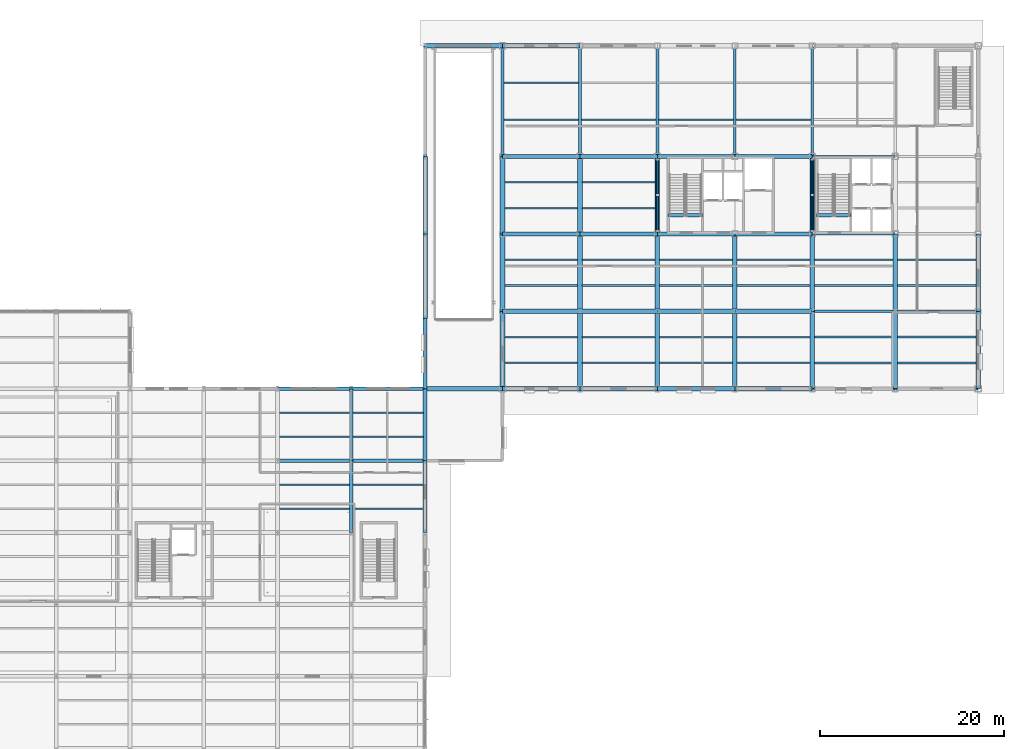
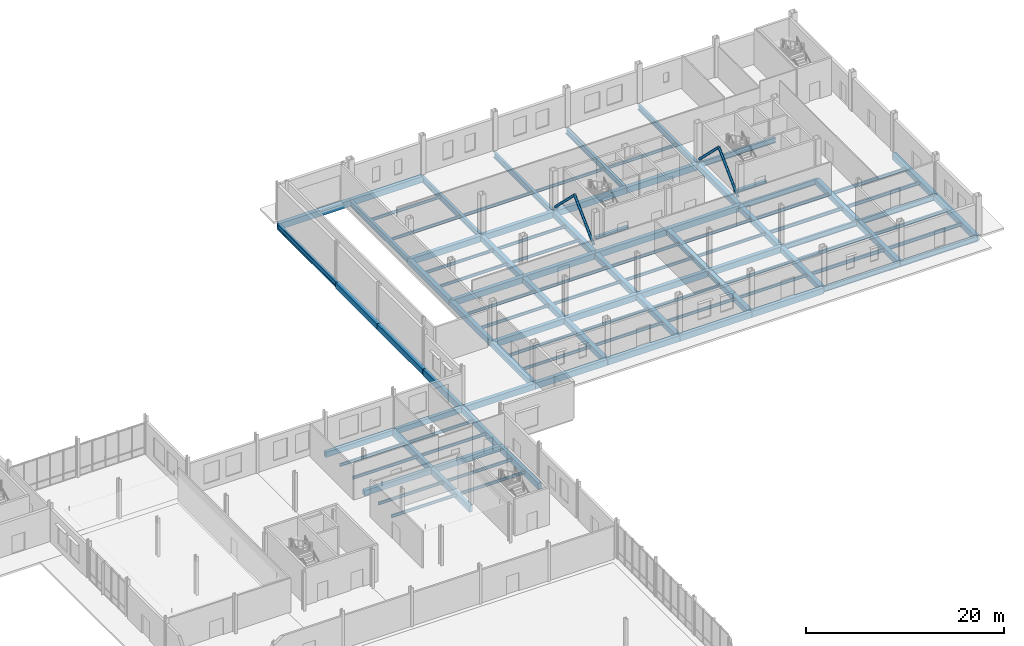
# One storey, part 33 of 82: 103 beams, 4 members.
"""IFC4 building model written with IfcOpenShell, lengths in metres."""

import ifcopenshell
import ifcopenshell.guid

model = None  # the IFC model being written
_history = None  # IfcOwnerHistory: only IFC2X3 demands one
_inside = {}  # id of a spatial element -> (the spatial element, [elements in it])
_under = {}  # id of a project, library or spatial element -> (it, [spatial elements below it])
_declared = {}  # id of a project -> (the project, [libraries it declares])
_typed = {}  # id of a type object -> (the type object, [elements of that type])
_made_of = {}  # id of a material, layer set ... -> (it, [elements and type objects made of it])


def new_model(schema):
    """Start an empty IFC model of exactly this schema.

    Asked for "IFC4X3", IfcOpenShell would pick the latest addendum, in which some entities
    have other attributes; the version numbers below select the first issue.
    IFC2X3 requires an IfcOwnerHistory on every rooted entity: one is made here for all.
    """
    global model, _history
    if schema == "IFC4X3":
        model = ifcopenshell.file(schema_version=(4, 3, 0, 0))
    else:
        model = ifcopenshell.file(schema=schema)
    _inside.clear()
    _under.clear()
    _declared.clear()
    _typed.clear()
    _made_of.clear()
    _history = None
    if model.schema == "IFC2X3":
        org = make("IfcOrganization", Name="unknown")
        user = make(
            "IfcPersonAndOrganization",
            ThePerson=make("IfcPerson", FamilyName="unknown"),
            TheOrganization=org,
        )
        app = make(
            "IfcApplication",
            ApplicationDeveloper=org,
            Version="unknown",
            ApplicationFullName="unknown",
            ApplicationIdentifier="unknown",
        )
        _history = make(
            "IfcOwnerHistory",
            OwningUser=user,
            OwningApplication=app,
            ChangeAction="ADDED",
            CreationDate=0,
        )
    return model


def make(cls, **values):
    """One entity of the class cls with the attributes given. An attribute that is None is left unset."""
    return model.create_entity(
        cls, **{name: value for name, value in values.items() if value is not None}
    )


def rooted(cls, **values):
    """An entity with a GlobalId (a new one), such as an element, a storey or a relation."""
    return make(cls, GlobalId=ifcopenshell.guid.new(), OwnerHistory=_history, **values)


def si_unit(unit_type, name, prefix=None):
    """IfcSIUnit, for example si_unit("LENGTHUNIT", "METRE", prefix="MILLI")."""
    return make("IfcSIUnit", UnitType=unit_type, Prefix=prefix, Name=name)


def assignment(units):
    """IfcUnitAssignment: the units of a project."""
    return None if units is None else make("IfcUnitAssignment", Units=units)


def point(xyz):
    """IfcCartesianPoint."""
    return None if xyz is None else make("IfcCartesianPoint", Coordinates=xyz)


def direction(xyz):
    """IfcDirection."""
    return None if xyz is None else make("IfcDirection", DirectionRatios=xyz)


def frame(location, z_axis=None, x_axis=None):
    """IfcAxis2Placement3D, a coordinate frame: its origin and axes. An axis left out is left unset."""
    return make(
        "IfcAxis2Placement3D",
        Location=point(location),
        Axis=direction(z_axis),
        RefDirection=direction(x_axis),
    )


def frame_2d(location, x_axis=None):
    """IfcAxis2Placement2D, a coordinate frame in the plane: its origin and x axis."""
    return make(
        "IfcAxis2Placement2D", Location=point(location), RefDirection=direction(x_axis)
    )


def origin():
    """The frame at (0, 0, 0) with its axes left unset."""
    return frame((0.0, 0.0, 0.0))


def origin_2d():
    """The frame at (0, 0) in the plane with its x axis left unset."""
    return frame_2d((0.0, 0.0))


def place(relative_to, where):
    """IfcLocalPlacement: puts the frame where relative to a parent placement (None: the world)."""
    return make(
        "IfcLocalPlacement", PlacementRelTo=relative_to, RelativePlacement=where
    )


def context(
    kind, dimensions, precision=None, world=None, true_north=None, identifier=None
):
    """IfcGeometricRepresentationContext, for example the 3D "Model" context."""
    return make(
        "IfcGeometricRepresentationContext",
        ContextIdentifier=identifier,
        ContextType=kind,
        CoordinateSpaceDimension=dimensions,
        Precision=precision,
        WorldCoordinateSystem=world,
        TrueNorth=true_north,
    )


def subcontext(parent, identifier, kind, view, scale=None):
    """IfcGeometricRepresentationSubContext, for example "Body" below "Model"."""
    return make(
        "IfcGeometricRepresentationSubContext",
        ContextIdentifier=identifier,
        ContextType=kind,
        ParentContext=parent,
        TargetScale=scale,
        TargetView=view,
    )


def project(units=None, contexts=None):
    """IfcProject with its units and contexts."""
    return rooted(
        "IfcProject",
        Name="project",
        RepresentationContexts=contexts,
        UnitsInContext=assignment(units),
    )


def spatial(cls, under=None, at=None, **own):
    """A site, building, storey or space (cls), placed at a placement, below another one or the project."""
    s = rooted(cls, ObjectPlacement=at, **own)
    if under is not None:
        _under.setdefault(under.id(), (under, []))[1].append(s)
    return s


def profile(cls, at=None, kind="AREA", **sizes):
    """A parametric profile (cls). Its sizes go by their IFC names, for example OverallWidth=200.0."""
    return make(cls, ProfileType=kind, Position=at, **sizes)


def rectangle(**sizes):
    """IfcRectangleProfileDef."""
    return profile("IfcRectangleProfileDef", **sizes)


def hollow_circle(**sizes):
    """IfcCircleHollowProfileDef."""
    return profile("IfcCircleHollowProfileDef", **sizes)


def i_section(**sizes):
    """IfcIShapeProfileDef."""
    return profile("IfcIShapeProfileDef", **sizes)


def extrude(swept, where, along, depth):
    """IfcExtrudedAreaSolid: the profile swept, set in the frame where, extruded along a direction by depth."""
    return make(
        "IfcExtrudedAreaSolid",
        SweptArea=swept,
        Position=where,
        ExtrudedDirection=direction(along),
        Depth=depth,
    )


def shape(context_of_items, identifier, shape_type, items):
    """IfcShapeRepresentation: the items that make up one representation, for example the "Body"."""
    return make(
        "IfcShapeRepresentation",
        ContextOfItems=context_of_items,
        RepresentationIdentifier=identifier,
        RepresentationType=shape_type,
        Items=items,
    )


def material(Name=None, Category=None):
    """IfcMaterial."""
    return make("IfcMaterial", Name=Name, Category=Category)


def material_profile(
    of_material, cross_section, Name=None, Category=None, Priority=None
):
    """IfcMaterialProfile: a cross section and its material."""
    return make(
        "IfcMaterialProfile",
        Name=Name,
        Material=of_material,
        Profile=cross_section,
        Priority=Priority,
        Category=Category,
    )


def profile_set(profiles, Name=None, composite=None):
    """IfcMaterialProfileSet."""
    return make(
        "IfcMaterialProfileSet",
        Name=Name,
        MaterialProfiles=profiles,
        CompositeProfile=composite,
    )


def made_of(thing, what):
    """Note that an element or type object is made of a material, layer set ...; save() writes the relation."""
    if what is not None:
        _made_of.setdefault(what.id(), (what, []))[1].append(thing)
    return thing


def type_object(cls, material=None, **own):
    """A type object (cls), such as IfcWallType, which elements share."""
    return made_of(rooted(cls, **own), material)


def element(
    cls,
    number,
    at=None,
    inside=None,
    cuts=None,
    type_object=None,
    material=None,
    context=None,
    identifier="Body",
    shape_type=None,
    held_by="IfcProductDefinitionShape",
    body=None,
    shapes=None,
    **own,
):
    """One element of the class cls, such as IfcWall. Its Tag is "e" and its number.

    at: its placement. inside: the storey or other place that contains it. cuts: it is an
    opening in that element (IfcRelVoidsElement). A single representation is given by context,
    identifier, shape_type and body (its items); several are given by shapes. held_by: the class
    of the entity that holds the representations. save() writes the other relations.
    """
    e = rooted(cls, Tag="e%d" % number, ObjectPlacement=at, **own)
    if body is not None:
        shapes = [shape(context, identifier, shape_type, body)]
    if shapes is not None:
        e.Representation = make(held_by, Representations=shapes)
    if inside is not None:
        _inside.setdefault(inside.id(), (inside, []))[1].append(e)
    if cuts is not None:
        rooted(
            "IfcRelVoidsElement", RelatingBuildingElement=cuts, RelatedOpeningElement=e
        )
    if type_object is not None:
        _typed.setdefault(type_object.id(), (type_object, []))[1].append(e)
    return made_of(e, material)


def aggregate(whole, parts):
    """IfcRelAggregates: a whole, such as a stair, and the parts it consists of."""
    return rooted("IfcRelAggregates", RelatingObject=whole, RelatedObjects=parts)


def save(model, path):
    """Write the relations noted so far, then the file.

    IfcRelAggregates (storeys below a building ...), IfcRelContainedInSpatialStructure (elements
    in a storey), IfcRelDefinesByType, IfcRelAssociatesMaterial and IfcRelDeclares: one each for
    every whole, place, type object, material and project.
    """
    for whole, parts in _under.values():
        aggregate(whole, parts)
    for where, things in _inside.values():
        rooted(
            "IfcRelContainedInSpatialStructure",
            RelatedElements=things,
            RelatingStructure=where,
        )
    for kind, things in _typed.values():
        rooted("IfcRelDefinesByType", RelatedObjects=things, RelatingType=kind)
    for what, things in _made_of.values():
        rooted("IfcRelAssociatesMaterial", RelatedObjects=things, RelatingMaterial=what)
    for by, libraries in _declared.values():
        rooted("IfcRelDeclares", RelatingContext=by, RelatedDefinitions=libraries)
    model.write(path)


model = new_model("IFC4")

# Units and contexts
model_context = context("Model", 3, precision=1e-05, world=origin(), true_north=direction((0.0, 1.0)))
body_context = subcontext(model_context, "Body", "Model", "MODEL_VIEW")
ifc_project = project(units=[si_unit("LENGTHUNIT", "METRE"), si_unit("AREAUNIT", "SQUARE_METRE"), si_unit("VOLUMEUNIT", "CUBIC_METRE"), si_unit("PLANEANGLEUNIT", "RADIAN"), si_unit("MASSUNIT", "GRAM", prefix="KILO")], contexts=[model_context])

# Site, building, storey
site_placement = place(None, origin())
site = spatial("IfcSite", under=ifc_project, at=site_placement, CompositionType="ELEMENT")
building_placement = place(site_placement, origin())
building = spatial("IfcBuilding", under=site, at=building_placement, Name="Yukiwa Park Conservatory and Herbarium", CompositionType="ELEMENT")
storey_placement = place(building_placement, origin())
storey = spatial("IfcBuildingStorey", under=building, at=storey_placement, Name="L00", CompositionType="ELEMENT", Elevation=0.0)

# Beams
ifc_material_1 = material(Name="Steel Q355D", Category="steel")
ifc_material_profile_1 = material_profile(ifc_material_1, i_section(OverallWidth=0.25, OverallDepth=0.64990234375, WebThickness=0.011962890625, FlangeThickness=0.02001953125, FilletRadius=0.02392578125, at=origin_2d()), Name="HN 650x250x12x20")
ifc_profile_set_1 = profile_set([ifc_material_profile_1], Name="Steel Q355D")
beam_type_1 = type_object("IfcBeamType", Name="BM-GRD-HN650", PredefinedType="BEAM", material=ifc_profile_set_1)
for number, where, z_axis, x_axis, name in (
    (1, (150.006103515625, 78.0, -0.5849609375), (1.0, 0.0, 0.0), (0.0, 1.0, 0.0), "L00 grid beam X-103"),
    (2, (159.006103515625, 78.0, -0.5849609375), (1.0, 0.0, 0.0), (0.0, 1.0, 0.0), "L00 grid beam X-104"),
    (3, (150.006103515625, 86.39990234375, -0.5849609375), (1.0, 0.0, 0.0), (0.0, 1.0, 0.0), "L00 grid beam X-115"),
    (4, (159.006103515625, 86.39990234375, -0.5849609375), (1.0, 0.0, 0.0), (0.0, 1.0, 0.0), "L00 grid beam X-116"),
    (5, (150.006103515625, 94.800048828125, -0.5849609375), (1.0, 0.0, 0.0), (0.0, 1.0, 0.0), "L00 grid beam X-127"),
    (6, (150.006103515625, 103.199951171875, -0.5849609375), (1.0, 0.0, 0.0), (0.0, 1.0, 0.0), "L00 grid beam X-139"),
):
    element("IfcBeam", number, at=place(storey_placement, frame(where, z_axis=z_axis, x_axis=x_axis)), inside=storey, type_object=beam_type_1, Name=name, PredefinedType="BEAM", context=body_context, shape_type="SweptSolid", body=[
        extrude(i_section(OverallWidth=0.25, OverallDepth=0.64990234375, WebThickness=0.011962890625, FlangeThickness=0.02001953125, FilletRadius=0.02392578125, at=origin_2d()), origin(), (0.0, 0.0, 1.0), 8.98779296875),
    ])
ifc_material_2 = material(Name="Steel Q355D", Category="steel")
ifc_material_profile_2 = material_profile(ifc_material_2, i_section(OverallWidth=0.300048828125, OverallDepth=0.699951171875, WebThickness=0.012939453125, FlangeThickness=0.02392578125, FilletRadius=0.028076171875, at=origin_2d()), Name="HN 700x300x13x24")
ifc_profile_set_2 = profile_set([ifc_material_profile_2], Name="Steel Q355D")
beam_type_2 = type_object("IfcBeamType", Name="BM-GRD-HN700", PredefinedType="BEAM", material=ifc_profile_set_2)
for number, where, z_axis, x_axis, name in (
    (7, (108.0, 103.2060546875, -0.610107421875), (0.0, 1.0, 0.0), (-1.0, 0.0, 0.0), "L00 grid girder Y-274"),
    (8, (116.39990234375, 103.2060546875, -0.610107421875), (0.0, 1.0, 0.0), (-1.0, 0.0, 0.0), "L00 grid girder Y-278"),
    (9, (124.800048828125, 103.2060546875, -0.610107421875), (0.0, 1.0, 0.0), (-1.0, 0.0, 0.0), "L00 grid girder Y-282"),
    (10, (133.199951171875, 103.2060546875, -0.610107421875), (0.0, 1.0, 0.0), (-1.0, 0.0, 0.0), "L00 grid girder Y-286"),
    (11, (141.60009765625, 103.2060546875, -0.610107421875), (0.0, 1.0, 0.0), (-1.0, 0.0, 0.0), "L00 grid girder Y-289"),
    (12, (150.0, 103.2060546875, -0.610107421875), (0.0, 1.0, 0.0), (-1.0, 0.0, 0.0), "L00 grid girder Y-293"),
):
    element("IfcBeam", number, at=place(storey_placement, frame(where, z_axis=z_axis, x_axis=x_axis)), inside=storey, type_object=beam_type_2, Name=name, PredefinedType="BEAM", context=body_context, shape_type="SweptSolid", body=[
        extrude(i_section(OverallWidth=0.300048828125, OverallDepth=0.699951171875, WebThickness=0.012939453125, FlangeThickness=0.02392578125, FilletRadius=0.028076171875, at=origin_2d()), origin(), (0.0, 0.0, 1.0), 11.988037109375),
    ])
ifc_material_3 = material(Name="Steel Q355D", Category="steel")
ifc_material_profile_3 = material_profile(ifc_material_3, i_section(OverallWidth=0.174072265625, OverallDepth=0.345947265625, WebThickness=0.006103515625, FlangeThickness=0.009033203125, FilletRadius=0.013916015625, at=origin_2d()), Name="HN 346x174x6x9")
ifc_profile_set_3 = profile_set([ifc_material_profile_3], Name="Steel Q355D")
beam_type_3 = type_object("IfcBeamType", Name="BM-JST-HN346", PredefinedType="JOIST", material=ifc_profile_set_3)
for number, where, z_axis, x_axis, name in (
    (13, (92.196044921875, 65.0, -0.43310546875), (1.0, 0.0, 0.0), (0.0, 1.0, 0.0), "L00 composite floor joist 163"),
    (14, (92.196044921875, 67.60009765625, -0.43310546875), (1.0, 0.0, 0.0), (0.0, 1.0, 0.0), "L00 composite floor joist 164"),
    (15, (92.196044921875, 72.800048828125, -0.43310546875), (1.0, 0.0, 0.0), (0.0, 1.0, 0.0), "L00 composite floor joist 165"),
    (16, (92.196044921875, 75.39990234375, -0.43310546875), (1.0, 0.0, 0.0), (0.0, 1.0, 0.0), "L00 composite floor joist 166"),
    (17, (100.196044921875, 65.0, -0.43310546875), (1.0, 0.0, 0.0), (0.0, 1.0, 0.0), "L00 composite floor joist 177"),
    (18, (100.196044921875, 67.60009765625, -0.43310546875), (1.0, 0.0, 0.0), (0.0, 1.0, 0.0), "L00 composite floor joist 178"),
    (19, (100.196044921875, 72.800048828125, -0.43310546875), (1.0, 0.0, 0.0), (0.0, 1.0, 0.0), "L00 composite floor joist 179"),
    (20, (100.196044921875, 75.39990234375, -0.43310546875), (1.0, 0.0, 0.0), (0.0, 1.0, 0.0), "L00 composite floor joist 180"),
):
    element("IfcBeam", number, at=place(storey_placement, frame(where, z_axis=z_axis, x_axis=x_axis)), inside=storey, type_object=beam_type_3, Name=name, PredefinedType="JOIST", context=body_context, shape_type="SweptSolid", body=[
        extrude(i_section(OverallWidth=0.174072265625, OverallDepth=0.345947265625, WebThickness=0.006103515625, FlangeThickness=0.009033203125, FilletRadius=0.013916015625, at=origin_2d()), origin(), (0.0, 0.0, 1.0), 7.60791015625),
    ])
for number, where, z_axis, x_axis, name in (
    (21, (116.64599609375, 80.800048828125, -0.43310546875), (1.0, 0.0, 0.0), (0.0, 1.0, 0.0), "L00 composite floor joist 181"),
    (22, (116.64599609375, 83.60009765625, -0.43310546875), (1.0, 0.0, 0.0), (0.0, 1.0, 0.0), "L00 composite floor joist 182"),
    (23, (116.64599609375, 89.199951171875, -0.43310546875), (1.0, 0.0, 0.0), (0.0, 1.0, 0.0), "L00 composite floor joist 183"),
    (24, (116.64599609375, 92.0, -0.43310546875), (1.0, 0.0, 0.0), (0.0, 1.0, 0.0), "L00 composite floor joist 184"),
    (25, (116.64599609375, 97.60009765625, -0.43310546875), (1.0, 0.0, 0.0), (0.0, 1.0, 0.0), "L00 composite floor joist 185"),
    (26, (116.64599609375, 100.39990234375, -0.43310546875), (1.0, 0.0, 0.0), (0.0, 1.0, 0.0), "L00 composite floor joist 186"),
):
    element("IfcBeam", number, at=place(storey_placement, frame(where, z_axis=z_axis, x_axis=x_axis)), inside=storey, type_object=beam_type_3, Name=name, PredefinedType="JOIST", context=body_context, shape_type="SweptSolid", body=[
        extrude(i_section(OverallWidth=0.174072265625, OverallDepth=0.345947265625, WebThickness=0.006103515625, FlangeThickness=0.009033203125, FilletRadius=0.013916015625, at=origin_2d()), origin(), (0.0, 0.0, 1.0), 7.907958984375),
    ])
for number, where, z_axis, x_axis, name in (
    (27, (116.5458984375, 107.199951171875, -0.43310546875), (1.0, 0.0, 0.0), (0.0, 1.0, 0.0), "L00 composite floor joist 187"),
    (28, (116.5458984375, 111.199951171875, -0.43310546875), (1.0, 0.0, 0.0), (0.0, 1.0, 0.0), "L00 composite floor joist 188"),
):
    element("IfcBeam", number, at=place(storey_placement, frame(where, z_axis=z_axis, x_axis=x_axis)), inside=storey, type_object=beam_type_3, Name=name, PredefinedType="JOIST", context=body_context, shape_type="SweptSolid", body=[
        extrude(i_section(OverallWidth=0.174072265625, OverallDepth=0.345947265625, WebThickness=0.006103515625, FlangeThickness=0.009033203125, FilletRadius=0.013916015625, at=origin_2d()), origin(), (0.0, 0.0, 1.0), 8.108154296875),
    ])
for number, where, z_axis, x_axis, name in (
    (29, (125.0458984375, 80.800048828125, -0.43310546875), (1.0, 0.0, 0.0), (0.0, 1.0, 0.0), "L00 composite floor joist 189"),
    (30, (125.0458984375, 83.60009765625, -0.43310546875), (1.0, 0.0, 0.0), (0.0, 1.0, 0.0), "L00 composite floor joist 190"),
    (31, (125.0458984375, 89.199951171875, -0.43310546875), (1.0, 0.0, 0.0), (0.0, 1.0, 0.0), "L00 composite floor joist 191"),
    (32, (125.0458984375, 92.0, -0.43310546875), (1.0, 0.0, 0.0), (0.0, 1.0, 0.0), "L00 composite floor joist 192"),
    (33, (125.0458984375, 97.60009765625, -0.43310546875), (1.0, 0.0, 0.0), (0.0, 1.0, 0.0), "L00 composite floor joist 193"),
    (34, (125.0458984375, 100.39990234375, -0.43310546875), (1.0, 0.0, 0.0), (0.0, 1.0, 0.0), "L00 composite floor joist 194"),
):
    element("IfcBeam", number, at=place(storey_placement, frame(where, z_axis=z_axis, x_axis=x_axis)), inside=storey, type_object=beam_type_3, Name=name, PredefinedType="JOIST", context=body_context, shape_type="SweptSolid", body=[
        extrude(i_section(OverallWidth=0.174072265625, OverallDepth=0.345947265625, WebThickness=0.006103515625, FlangeThickness=0.009033203125, FilletRadius=0.013916015625, at=origin_2d()), origin(), (0.0, 0.0, 1.0), 7.908203125),
    ])
beam_1_placement = place(storey_placement, frame((124.946044921875, 107.199951171875, -0.43310546875), z_axis=(1.0, 0.0, 0.0), x_axis=(0.0, 1.0, 0.0)))
element("IfcBeam", 35, at=beam_1_placement, inside=storey, type_object=beam_type_3, Name="L00 composite floor joist 195", PredefinedType="JOIST", context=body_context, shape_type="SweptSolid", body=[
    extrude(i_section(OverallWidth=0.174072265625, OverallDepth=0.345947265625, WebThickness=0.006103515625, FlangeThickness=0.009033203125, FilletRadius=0.013916015625, at=origin_2d()), origin(), (0.0, 0.0, 1.0), 8.10791015625),
])
for number, where, z_axis, x_axis, name in (
    (36, (133.446044921875, 80.800048828125, -0.43310546875), (1.0, 0.0, 0.0), (0.0, 1.0, 0.0), "L00 composite floor joist 197"),
    (37, (133.446044921875, 83.60009765625, -0.43310546875), (1.0, 0.0, 0.0), (0.0, 1.0, 0.0), "L00 composite floor joist 198"),
    (38, (133.446044921875, 89.199951171875, -0.43310546875), (1.0, 0.0, 0.0), (0.0, 1.0, 0.0), "L00 composite floor joist 199"),
    (39, (133.446044921875, 92.0, -0.43310546875), (1.0, 0.0, 0.0), (0.0, 1.0, 0.0), "L00 composite floor joist 200"),
):
    element("IfcBeam", number, at=place(storey_placement, frame(where, z_axis=z_axis, x_axis=x_axis)), inside=storey, type_object=beam_type_3, Name=name, PredefinedType="JOIST", context=body_context, shape_type="SweptSolid", body=[
        extrude(i_section(OverallWidth=0.174072265625, OverallDepth=0.345947265625, WebThickness=0.006103515625, FlangeThickness=0.009033203125, FilletRadius=0.013916015625, at=origin_2d()), origin(), (0.0, 0.0, 1.0), 7.907958984375),
    ])
beam_2_placement = place(storey_placement, frame((133.345947265625, 107.199951171875, -0.43310546875), z_axis=(1.0, 0.0, 0.0), x_axis=(0.0, 1.0, 0.0)))
element("IfcBeam", 40, at=beam_2_placement, inside=storey, type_object=beam_type_3, Name="L00 composite floor joist 201", PredefinedType="JOIST", context=body_context, shape_type="SweptSolid", body=[
    extrude(i_section(OverallWidth=0.174072265625, OverallDepth=0.345947265625, WebThickness=0.006103515625, FlangeThickness=0.009033203125, FilletRadius=0.013916015625, at=origin_2d()), origin(), (0.0, 0.0, 1.0), 8.108154296875),
])
for number, where, z_axis, x_axis, name in (
    (41, (141.845947265625, 80.800048828125, -0.43310546875), (1.0, 0.0, 0.0), (0.0, 1.0, 0.0), "L00 composite floor joist 203"),
    (42, (141.845947265625, 83.60009765625, -0.43310546875), (1.0, 0.0, 0.0), (0.0, 1.0, 0.0), "L00 composite floor joist 204"),
    (43, (141.845947265625, 89.199951171875, -0.43310546875), (1.0, 0.0, 0.0), (0.0, 1.0, 0.0), "L00 composite floor joist 205"),
    (44, (141.845947265625, 92.0, -0.43310546875), (1.0, 0.0, 0.0), (0.0, 1.0, 0.0), "L00 composite floor joist 206"),
):
    element("IfcBeam", number, at=place(storey_placement, frame(where, z_axis=z_axis, x_axis=x_axis)), inside=storey, type_object=beam_type_3, Name=name, PredefinedType="JOIST", context=body_context, shape_type="SweptSolid", body=[
        extrude(i_section(OverallWidth=0.174072265625, OverallDepth=0.345947265625, WebThickness=0.006103515625, FlangeThickness=0.009033203125, FilletRadius=0.013916015625, at=origin_2d()), origin(), (0.0, 0.0, 1.0), 7.907958984375),
    ])
beam_3_placement = place(storey_placement, frame((141.74609375, 107.199951171875, -0.43310546875), z_axis=(1.0, 0.0, 0.0), x_axis=(0.0, 1.0, 0.0)))
element("IfcBeam", 45, at=beam_3_placement, inside=storey, type_object=beam_type_3, Name="L00 composite floor joist 207", PredefinedType="JOIST", context=body_context, shape_type="SweptSolid", body=[
    extrude(i_section(OverallWidth=0.174072265625, OverallDepth=0.345947265625, WebThickness=0.006103515625, FlangeThickness=0.009033203125, FilletRadius=0.013916015625, at=origin_2d()), origin(), (0.0, 0.0, 1.0), 8.10791015625),
])
ifc_material_4 = material(Name="Steel Q355D", Category="steel")
ifc_material_profile_4 = material_profile(ifc_material_4, i_section(OverallWidth=0.198974609375, OverallDepth=0.39599609375, WebThickness=0.007080078125, FlangeThickness=0.010986328125, FilletRadius=0.01611328125, at=origin_2d()), Name="HN 396x199x7x11")
ifc_profile_set_4 = profile_set([ifc_material_profile_4], Name="Steel Q355D")
beam_type_4 = type_object("IfcBeamType", Name="BM-JST-HN396", PredefinedType="JOIST", material=ifc_profile_set_4)
for number, where, z_axis, x_axis, name in (
    (46, (150.24609375, 80.800048828125, -0.4580078125), (1.0, 0.0, 0.0), (0.0, 1.0, 0.0), "L00 composite floor joist 209"),
    (47, (150.24609375, 83.60009765625, -0.4580078125), (1.0, 0.0, 0.0), (0.0, 1.0, 0.0), "L00 composite floor joist 210"),
    (48, (150.24609375, 89.199951171875, -0.4580078125), (1.0, 0.0, 0.0), (0.0, 1.0, 0.0), "L00 composite floor joist 211"),
    (49, (150.24609375, 92.0, -0.4580078125), (1.0, 0.0, 0.0), (0.0, 1.0, 0.0), "L00 composite floor joist 212"),
    (50, (159.24609375, 80.800048828125, -0.4580078125), (1.0, 0.0, 0.0), (0.0, 1.0, 0.0), "L00 composite floor joist 215"),
    (51, (159.24609375, 83.60009765625, -0.4580078125), (1.0, 0.0, 0.0), (0.0, 1.0, 0.0), "L00 composite floor joist 216"),
    (52, (159.24609375, 89.199951171875, -0.4580078125), (1.0, 0.0, 0.0), (0.0, 1.0, 0.0), "L00 composite floor joist 217"),
    (53, (159.24609375, 92.0, -0.4580078125), (1.0, 0.0, 0.0), (0.0, 1.0, 0.0), "L00 composite floor joist 218"),
):
    element("IfcBeam", number, at=place(storey_placement, frame(where, z_axis=z_axis, x_axis=x_axis)), inside=storey, type_object=beam_type_4, Name=name, PredefinedType="JOIST", context=body_context, shape_type="SweptSolid", body=[
        extrude(i_section(OverallWidth=0.198974609375, OverallDepth=0.39599609375, WebThickness=0.007080078125, FlangeThickness=0.010986328125, FilletRadius=0.01611328125, at=origin_2d()), origin(), (0.0, 0.0, 1.0), 8.5078125),
    ])
ifc_material_5 = material(Name="Concrete C40", Category="concrete")
ifc_material_profile_5 = material_profile(ifc_material_5, rectangle(XDim=0.39990234375, YDim=0.64990234375, at=origin_2d()), Name="RC 400x650")
ifc_profile_set_5 = profile_set([ifc_material_profile_5], Name="Concrete C40")
beam_type_5 = type_object("IfcBeamType", Name="BM-RC-400X650", PredefinedType="BEAM", material=ifc_profile_set_5)
for number, where, z_axis, x_axis, name in (
    (54, (92.006103515625, 70.199951171875, -0.5849609375), (1.0, 0.0, 0.0), (0.0, 1.0, 0.0), "L00 grid beam X-84"),
    (55, (100.006103515625, 70.199951171875, -0.5849609375), (1.0, 0.0, 0.0), (0.0, 1.0, 0.0), "L00 grid beam X-85"),
    (56, (92.006103515625, 78.0, -0.5849609375), (1.0, 0.0, 0.0), (0.0, 1.0, 0.0), "L00 grid beam X-96"),
    (57, (100.006103515625, 78.0, -0.5849609375), (1.0, 0.0, 0.0), (0.0, 1.0, 0.0), "L00 grid beam X-97"),
):
    element("IfcBeam", number, at=place(storey_placement, frame(where, z_axis=z_axis, x_axis=x_axis)), inside=storey, type_object=beam_type_5, Name=name, PredefinedType="BEAM", context=body_context, shape_type="SweptSolid", body=[
        extrude(rectangle(XDim=0.39990234375, YDim=0.64990234375, at=origin_2d()), origin(), (0.0, 0.0, 1.0), 7.98779296875),
    ])
ifc_material_6 = material(Name="Concrete C40", Category="concrete")
ifc_material_profile_6 = material_profile(ifc_material_6, rectangle(XDim=0.39990234375, YDim=0.800048828125, at=origin_2d()), Name="RC 400x800")
ifc_profile_set_6 = profile_set([ifc_material_profile_6], Name="Concrete C40")
beam_type_6 = type_object("IfcBeamType", Name="BM-RC-400X800", PredefinedType="BEAM", material=ifc_profile_set_6)
beam_4_placement = place(storey_placement, frame((100.0, 62.406005859375, -0.659912109375), z_axis=(0.0, 1.0, 0.0), x_axis=(-1.0, 0.0, 0.0)))
element("IfcBeam", 58, at=beam_4_placement, inside=storey, type_object=beam_type_6, Name="L00 grid girder Y-261", PredefinedType="BEAM", context=body_context, shape_type="SweptSolid", body=[
    extrude(rectangle(XDim=0.39990234375, YDim=0.800048828125, at=origin_2d()), origin(), (0.0, 0.0, 1.0), 7.7880859375),
])
beam_5_placement = place(storey_placement, frame((100.0, 70.2060546875, -0.659912109375), z_axis=(0.0, 1.0, 0.0), x_axis=(-1.0, 0.0, 0.0)))
element("IfcBeam", 59, at=beam_5_placement, inside=storey, type_object=beam_type_6, Name="L00 grid girder Y-262", PredefinedType="BEAM", context=body_context, shape_type="SweptSolid", body=[
    extrude(rectangle(XDim=0.39990234375, YDim=0.800048828125, at=origin_2d()), origin(), (0.0, 0.0, 1.0), 7.787841796875),
])
beam_6_placement = place(storey_placement, frame((108.0, 62.406005859375, -0.659912109375), z_axis=(0.0, 1.0, 0.0), x_axis=(-1.0, 0.0, 0.0)))
element("IfcBeam", 60, at=beam_6_placement, inside=storey, type_object=beam_type_6, Name="L00 grid girder Y-269", PredefinedType="BEAM", context=body_context, shape_type="SweptSolid", body=[
    extrude(rectangle(XDim=0.39990234375, YDim=0.800048828125, at=origin_2d()), origin(), (0.0, 0.0, 1.0), 7.7880859375),
])
beam_7_placement = place(storey_placement, frame((108.0, 70.2060546875, -0.659912109375), z_axis=(0.0, 1.0, 0.0), x_axis=(-1.0, 0.0, 0.0)))
element("IfcBeam", 61, at=beam_7_placement, inside=storey, type_object=beam_type_6, Name="L00 grid girder Y-270", PredefinedType="BEAM", context=body_context, shape_type="SweptSolid", body=[
    extrude(rectangle(XDim=0.39990234375, YDim=0.800048828125, at=origin_2d()), origin(), (0.0, 0.0, 1.0), 7.787841796875),
])
beam_8_placement = place(storey_placement, frame((108.0, 78.006103515625, -0.659912109375), z_axis=(0.0, 1.0, 0.0), x_axis=(-1.0, 0.0, 0.0)))
element("IfcBeam", 62, at=beam_8_placement, inside=storey, type_object=beam_type_6, Name="L00 grid girder Y-271", PredefinedType="BEAM", context=body_context, shape_type="SweptSolid", body=[
    extrude(rectangle(XDim=0.39990234375, YDim=0.800048828125, at=origin_2d()), origin(), (0.0, 0.0, 1.0), 7.587890625),
])
ifc_material_7 = material(Name="Concrete C40", Category="concrete")
ifc_material_profile_7 = material_profile(ifc_material_7, rectangle(XDim=0.449951171875, YDim=0.75, at=origin_2d()), Name="RC 450x750")
ifc_profile_set_7 = profile_set([ifc_material_profile_7], Name="Concrete C40")
beam_type_7 = type_object("IfcBeamType", Name="BM-RC-450X750", PredefinedType="BEAM", material=ifc_profile_set_7)
for number, where, z_axis, x_axis, name in (
    (63, (108.006103515625, 78.0, -0.635009765625), (1.0, 0.0, 0.0), (0.0, 1.0, 0.0), "L00 grid beam X-98"),
    (64, (116.406005859375, 78.0, -0.635009765625), (1.0, 0.0, 0.0), (0.0, 1.0, 0.0), "L00 grid beam X-99"),
):
    element("IfcBeam", number, at=place(storey_placement, frame(where, z_axis=z_axis, x_axis=x_axis)), inside=storey, type_object=beam_type_7, Name=name, PredefinedType="BEAM", context=body_context, shape_type="SweptSolid", body=[
        extrude(rectangle(XDim=0.449951171875, YDim=0.75, at=origin_2d()), origin(), (0.0, 0.0, 1.0), 8.387939453125),
    ])
beam_9_placement = place(storey_placement, frame((124.805908203125, 78.0, -0.635009765625), z_axis=(1.0, 0.0, 0.0), x_axis=(0.0, 1.0, 0.0)))
element("IfcBeam", 65, at=beam_9_placement, inside=storey, type_object=beam_type_7, Name="L00 grid beam X-100", PredefinedType="BEAM", context=body_context, shape_type="SweptSolid", body=[
    extrude(rectangle(XDim=0.449951171875, YDim=0.75, at=origin_2d()), origin(), (0.0, 0.0, 1.0), 8.38818359375),
])
for number, where, z_axis, x_axis, name in (
    (66, (133.2060546875, 78.0, -0.635009765625), (1.0, 0.0, 0.0), (0.0, 1.0, 0.0), "L00 grid beam X-101"),
    (67, (141.60595703125, 78.0, -0.635009765625), (1.0, 0.0, 0.0), (0.0, 1.0, 0.0), "L00 grid beam X-102"),
    (68, (116.406005859375, 86.39990234375, -0.635009765625), (1.0, 0.0, 0.0), (0.0, 1.0, 0.0), "L00 grid beam X-111"),
):
    element("IfcBeam", number, at=place(storey_placement, frame(where, z_axis=z_axis, x_axis=x_axis)), inside=storey, type_object=beam_type_7, Name=name, PredefinedType="BEAM", context=body_context, shape_type="SweptSolid", body=[
        extrude(rectangle(XDim=0.449951171875, YDim=0.75, at=origin_2d()), origin(), (0.0, 0.0, 1.0), 8.387939453125),
    ])
beam_10_placement = place(storey_placement, frame((124.805908203125, 86.39990234375, -0.635009765625), z_axis=(1.0, 0.0, 0.0), x_axis=(0.0, 1.0, 0.0)))
element("IfcBeam", 69, at=beam_10_placement, inside=storey, type_object=beam_type_7, Name="L00 grid beam X-112", PredefinedType="BEAM", context=body_context, shape_type="SweptSolid", body=[
    extrude(rectangle(XDim=0.449951171875, YDim=0.75, at=origin_2d()), origin(), (0.0, 0.0, 1.0), 8.38818359375),
])
for number, where, z_axis, x_axis, name in (
    (70, (133.2060546875, 86.39990234375, -0.635009765625), (1.0, 0.0, 0.0), (0.0, 1.0, 0.0), "L00 grid beam X-113"),
    (71, (141.60595703125, 86.39990234375, -0.635009765625), (1.0, 0.0, 0.0), (0.0, 1.0, 0.0), "L00 grid beam X-114"),
    (72, (116.406005859375, 94.800048828125, -0.635009765625), (1.0, 0.0, 0.0), (0.0, 1.0, 0.0), "L00 grid beam X-123"),
):
    element("IfcBeam", number, at=place(storey_placement, frame(where, z_axis=z_axis, x_axis=x_axis)), inside=storey, type_object=beam_type_7, Name=name, PredefinedType="BEAM", context=body_context, shape_type="SweptSolid", body=[
        extrude(rectangle(XDim=0.449951171875, YDim=0.75, at=origin_2d()), origin(), (0.0, 0.0, 1.0), 8.387939453125),
    ])
beam_11_placement = place(storey_placement, frame((124.805908203125, 94.800048828125, -0.635009765625), z_axis=(1.0, 0.0, 0.0), x_axis=(0.0, 1.0, 0.0)))
element("IfcBeam", 73, at=beam_11_placement, inside=storey, type_object=beam_type_7, Name="L00 grid beam X-124", PredefinedType="BEAM", context=body_context, shape_type="SweptSolid", body=[
    extrude(rectangle(XDim=0.449951171875, YDim=0.75, at=origin_2d()), origin(), (0.0, 0.0, 1.0), 8.38818359375),
])
for number, where, z_axis, x_axis, name in (
    (74, (133.2060546875, 94.800048828125, -0.635009765625), (1.0, 0.0, 0.0), (0.0, 1.0, 0.0), "L00 grid beam X-125"),
    (75, (141.60595703125, 94.800048828125, -0.635009765625), (1.0, 0.0, 0.0), (0.0, 1.0, 0.0), "L00 grid beam X-126"),
    (76, (116.406005859375, 103.199951171875, -0.635009765625), (1.0, 0.0, 0.0), (0.0, 1.0, 0.0), "L00 grid beam X-135"),
):
    element("IfcBeam", number, at=place(storey_placement, frame(where, z_axis=z_axis, x_axis=x_axis)), inside=storey, type_object=beam_type_7, Name=name, PredefinedType="BEAM", context=body_context, shape_type="SweptSolid", body=[
        extrude(rectangle(XDim=0.449951171875, YDim=0.75, at=origin_2d()), origin(), (0.0, 0.0, 1.0), 8.387939453125),
    ])
beam_12_placement = place(storey_placement, frame((124.805908203125, 103.199951171875, -0.635009765625), z_axis=(1.0, 0.0, 0.0), x_axis=(0.0, 1.0, 0.0)))
element("IfcBeam", 77, at=beam_12_placement, inside=storey, type_object=beam_type_7, Name="L00 grid beam X-136", PredefinedType="BEAM", context=body_context, shape_type="SweptSolid", body=[
    extrude(rectangle(XDim=0.449951171875, YDim=0.75, at=origin_2d()), origin(), (0.0, 0.0, 1.0), 8.38818359375),
])
for number, where, z_axis, x_axis, name in (
    (78, (133.2060546875, 103.199951171875, -0.635009765625), (1.0, 0.0, 0.0), (0.0, 1.0, 0.0), "L00 grid beam X-137"),
    (79, (141.60595703125, 103.199951171875, -0.635009765625), (1.0, 0.0, 0.0), (0.0, 1.0, 0.0), "L00 grid beam X-138"),
    (80, (108.006103515625, 115.199951171875, -0.635009765625), (1.0, 0.0, 0.0), (0.0, 1.0, 0.0), "L00 grid beam X-147"),
    (81, (116.406005859375, 115.199951171875, -0.635009765625), (1.0, 0.0, 0.0), (0.0, 1.0, 0.0), "L00 grid beam X-148"),
):
    element("IfcBeam", number, at=place(storey_placement, frame(where, z_axis=z_axis, x_axis=x_axis)), inside=storey, type_object=beam_type_7, Name=name, PredefinedType="BEAM", context=body_context, shape_type="SweptSolid", body=[
        extrude(rectangle(XDim=0.449951171875, YDim=0.75, at=origin_2d()), origin(), (0.0, 0.0, 1.0), 8.387939453125),
    ])
ifc_material_8 = material(Name="Concrete C40", Category="concrete")
ifc_material_profile_8 = material_profile(ifc_material_8, rectangle(XDim=0.5, YDim=0.699951171875, at=origin_2d()), Name="RC 500x700")
ifc_profile_set_8 = profile_set([ifc_material_profile_8], Name="Concrete C40")
beam_type_8 = type_object("IfcBeamType", Name="BM-RC-500X700", PredefinedType="BEAM", material=ifc_profile_set_8)
beam_13_placement = place(storey_placement, frame((108.0, 85.60595703125, -0.610107421875), z_axis=(0.0, 1.0, 0.0), x_axis=(-1.0, 0.0, 0.0)))
element("IfcBeam", 82, at=beam_13_placement, inside=storey, type_object=beam_type_8, Name="L00 grid girder Y-272", PredefinedType="BEAM", context=body_context, shape_type="SweptSolid", body=[
    extrude(rectangle(XDim=0.5, YDim=0.699951171875, at=origin_2d()), origin(), (0.0, 0.0, 1.0), 9.18798828125),
])
beam_14_placement = place(storey_placement, frame((108.0, 94.805908203125, -0.610107421875), z_axis=(0.0, 1.0, 0.0), x_axis=(-1.0, 0.0, 0.0)))
element("IfcBeam", 83, at=beam_14_placement, inside=storey, type_object=beam_type_8, Name="L00 grid girder Y-273", PredefinedType="BEAM", context=body_context, shape_type="SweptSolid", body=[
    extrude(rectangle(XDim=0.5, YDim=0.699951171875, at=origin_2d()), origin(), (0.0, 0.0, 1.0), 8.38818359375),
])
for number, where, z_axis, x_axis, name in (
    (84, (116.39990234375, 78.006103515625, -0.610107421875), (0.0, 1.0, 0.0), (-1.0, 0.0, 0.0), "L00 grid girder Y-275"),
    (85, (116.39990234375, 86.406005859375, -0.610107421875), (0.0, 1.0, 0.0), (-1.0, 0.0, 0.0), "L00 grid girder Y-276"),
):
    element("IfcBeam", number, at=place(storey_placement, frame(where, z_axis=z_axis, x_axis=x_axis)), inside=storey, type_object=beam_type_8, Name=name, PredefinedType="BEAM", context=body_context, shape_type="SweptSolid", body=[
        extrude(rectangle(XDim=0.5, YDim=0.699951171875, at=origin_2d()), origin(), (0.0, 0.0, 1.0), 8.387939453125),
    ])
beam_15_placement = place(storey_placement, frame((116.39990234375, 94.805908203125, -0.610107421875), z_axis=(0.0, 1.0, 0.0), x_axis=(-1.0, 0.0, 0.0)))
element("IfcBeam", 86, at=beam_15_placement, inside=storey, type_object=beam_type_8, Name="L00 grid girder Y-277", PredefinedType="BEAM", context=body_context, shape_type="SweptSolid", body=[
    extrude(rectangle(XDim=0.5, YDim=0.699951171875, at=origin_2d()), origin(), (0.0, 0.0, 1.0), 8.38818359375),
])
for number, where, z_axis, x_axis, name in (
    (87, (124.800048828125, 78.006103515625, -0.610107421875), (0.0, 1.0, 0.0), (-1.0, 0.0, 0.0), "L00 grid girder Y-279"),
    (88, (124.800048828125, 86.406005859375, -0.610107421875), (0.0, 1.0, 0.0), (-1.0, 0.0, 0.0), "L00 grid girder Y-280"),
):
    element("IfcBeam", number, at=place(storey_placement, frame(where, z_axis=z_axis, x_axis=x_axis)), inside=storey, type_object=beam_type_8, Name=name, PredefinedType="BEAM", context=body_context, shape_type="SweptSolid", body=[
        extrude(rectangle(XDim=0.5, YDim=0.699951171875, at=origin_2d()), origin(), (0.0, 0.0, 1.0), 8.387939453125),
    ])
beam_16_placement = place(storey_placement, frame((124.800048828125, 94.805908203125, -0.610107421875), z_axis=(0.0, 1.0, 0.0), x_axis=(-1.0, 0.0, 0.0)))
element("IfcBeam", 89, at=beam_16_placement, inside=storey, type_object=beam_type_8, Name="L00 grid girder Y-281", PredefinedType="BEAM", context=body_context, shape_type="SweptSolid", body=[
    extrude(rectangle(XDim=0.5, YDim=0.699951171875, at=origin_2d()), origin(), (0.0, 0.0, 1.0), 8.38818359375),
])
for number, where, z_axis, x_axis, name in (
    (90, (133.199951171875, 78.006103515625, -0.610107421875), (0.0, 1.0, 0.0), (-1.0, 0.0, 0.0), "L00 grid girder Y-283"),
    (91, (133.199951171875, 86.406005859375, -0.610107421875), (0.0, 1.0, 0.0), (-1.0, 0.0, 0.0), "L00 grid girder Y-284"),
):
    element("IfcBeam", number, at=place(storey_placement, frame(where, z_axis=z_axis, x_axis=x_axis)), inside=storey, type_object=beam_type_8, Name=name, PredefinedType="BEAM", context=body_context, shape_type="SweptSolid", body=[
        extrude(rectangle(XDim=0.5, YDim=0.699951171875, at=origin_2d()), origin(), (0.0, 0.0, 1.0), 8.387939453125),
    ])
beam_17_placement = place(storey_placement, frame((133.199951171875, 94.805908203125, -0.610107421875), z_axis=(0.0, 1.0, 0.0), x_axis=(-1.0, 0.0, 0.0)))
element("IfcBeam", 92, at=beam_17_placement, inside=storey, type_object=beam_type_8, Name="L00 grid girder Y-285", PredefinedType="BEAM", context=body_context, shape_type="SweptSolid", body=[
    extrude(rectangle(XDim=0.5, YDim=0.699951171875, at=origin_2d()), origin(), (0.0, 0.0, 1.0), 8.38818359375),
])
for number, where, z_axis, x_axis, name in (
    (93, (141.60009765625, 78.006103515625, -0.610107421875), (0.0, 1.0, 0.0), (-1.0, 0.0, 0.0), "L00 grid girder Y-287"),
    (94, (141.60009765625, 86.406005859375, -0.610107421875), (0.0, 1.0, 0.0), (-1.0, 0.0, 0.0), "L00 grid girder Y-288"),
    (95, (150.0, 78.006103515625, -0.610107421875), (0.0, 1.0, 0.0), (-1.0, 0.0, 0.0), "L00 grid girder Y-290"),
    (96, (150.0, 86.406005859375, -0.610107421875), (0.0, 1.0, 0.0), (-1.0, 0.0, 0.0), "L00 grid girder Y-291"),
):
    element("IfcBeam", number, at=place(storey_placement, frame(where, z_axis=z_axis, x_axis=x_axis)), inside=storey, type_object=beam_type_8, Name=name, PredefinedType="BEAM", context=body_context, shape_type="SweptSolid", body=[
        extrude(rectangle(XDim=0.5, YDim=0.699951171875, at=origin_2d()), origin(), (0.0, 0.0, 1.0), 8.387939453125),
    ])
beam_18_placement = place(storey_placement, frame((150.0, 94.805908203125, -0.610107421875), z_axis=(0.0, 1.0, 0.0), x_axis=(-1.0, 0.0, 0.0)))
element("IfcBeam", 97, at=beam_18_placement, inside=storey, type_object=beam_type_8, Name="L00 grid girder Y-292", PredefinedType="BEAM", context=body_context, shape_type="SweptSolid", body=[
    extrude(rectangle(XDim=0.5, YDim=0.699951171875, at=origin_2d()), origin(), (0.0, 0.0, 1.0), 8.38818359375),
])
for number, where, z_axis, x_axis, name in (
    (98, (159.0, 78.006103515625, -0.610107421875), (0.0, 1.0, 0.0), (-1.0, 0.0, 0.0), "L00 grid girder Y-294"),
    (99, (159.0, 86.406005859375, -0.610107421875), (0.0, 1.0, 0.0), (-1.0, 0.0, 0.0), "L00 grid girder Y-295"),
    (100, (168.0, 78.006103515625, -0.610107421875), (0.0, 1.0, 0.0), (-1.0, 0.0, 0.0), "L00 grid girder Y-298"),
    (101, (168.0, 86.406005859375, -0.610107421875), (0.0, 1.0, 0.0), (-1.0, 0.0, 0.0), "L00 grid girder Y-299"),
):
    element("IfcBeam", number, at=place(storey_placement, frame(where, z_axis=z_axis, x_axis=x_axis)), inside=storey, type_object=beam_type_8, Name=name, PredefinedType="BEAM", context=body_context, shape_type="SweptSolid", body=[
        extrude(rectangle(XDim=0.5, YDim=0.699951171875, at=origin_2d()), origin(), (0.0, 0.0, 1.0), 8.387939453125),
    ])
ifc_material_9 = material(Name="Concrete C40", Category="concrete")
ifc_material_profile_9 = material_profile(ifc_material_9, rectangle(XDim=0.35009765625, YDim=0.300048828125, at=origin_2d()), Name="RC 350x300")
ifc_profile_set_9 = profile_set([ifc_material_profile_9], Name="Concrete C40")
beam_type_9 = type_object("IfcBeamType", Name="BM-STAIR-TRIM", PredefinedType="BEAM", material=ifc_profile_set_9)
for number, where, z_axis, x_axis, name in (
    (102, (134.3701171875, 96.81005859375, -0.14990234375), (1.0, 0.0, 0.0), (0.0, 1.0, 0.0), "Stair ST-T1 L00 landing trimmer beam"),
    (103, (150.47998046875, 96.81005859375, -0.14990234375), (1.0, 0.0, 0.0), (0.0, 1.0, 0.0), "Stair ST-T2 L00 landing trimmer beam"),
):
    element("IfcBeam", number, at=place(storey_placement, frame(where, z_axis=z_axis, x_axis=x_axis)), inside=storey, type_object=beam_type_9, Name=name, PredefinedType="BEAM", context=body_context, shape_type="SweptSolid", body=[
        extrude(rectangle(XDim=0.35009765625, YDim=0.300048828125, at=origin_2d()), origin(), (0.0, 0.0, 1.0), 3.75),
    ])

# Members
ifc_material_10 = material(Name="Steel Q355D", Category="steel")
ifc_material_profile_10 = material_profile(ifc_material_10, hollow_circle(Radius=0.149169921875, WallThickness=0.011962890625, at=origin_2d()), Name="CHS 298.5x12")
ifc_profile_set_10 = profile_set([ifc_material_profile_10], Name="Steel Q355D")
member_type = type_object("IfcMemberType", Name="MB-BR-CHS298", PredefinedType="BRACE", material=ifc_profile_set_10)
for number, where, z_axis, x_axis, name in (
    (104, (133.199951171875, 95.12353515625, 0.3681640625), (0.0, 0.712560606397, 0.701610563069), (-1.0, 0.0, 0.0), "L00 concentric chevron brace 1"),
    (105, (133.199951171875, 102.87646484375, 0.3681640625), (0.0, -0.712560606397, 0.701610563069), (1.0, 0.0, 0.0), "L00 concentric chevron brace 2"),
    (106, (150.0, 95.12353515625, 0.3681640625), (0.0, 0.712560606397, 0.701610563069), (-1.0, 0.0, 0.0), "L00 concentric chevron brace 3"),
    (107, (150.0, 102.87646484375, 0.3681640625), (0.0, -0.712560606397, 0.701610563069), (1.0, 0.0, 0.0), "L00 concentric chevron brace 4"),
):
    element("IfcMember", number, at=place(storey_placement, frame(where, z_axis=z_axis, x_axis=x_axis)), inside=storey, type_object=member_type, Name=name, PredefinedType="BRACE", context=body_context, shape_type="SweptSolid", body=[
        extrude(hollow_circle(Radius=0.149169921875, WallThickness=0.011962890625, at=origin_2d()), origin(), (0.0, 0.0, 1.0), 5.440185546875),
    ])

save(model, "model.ifc")
